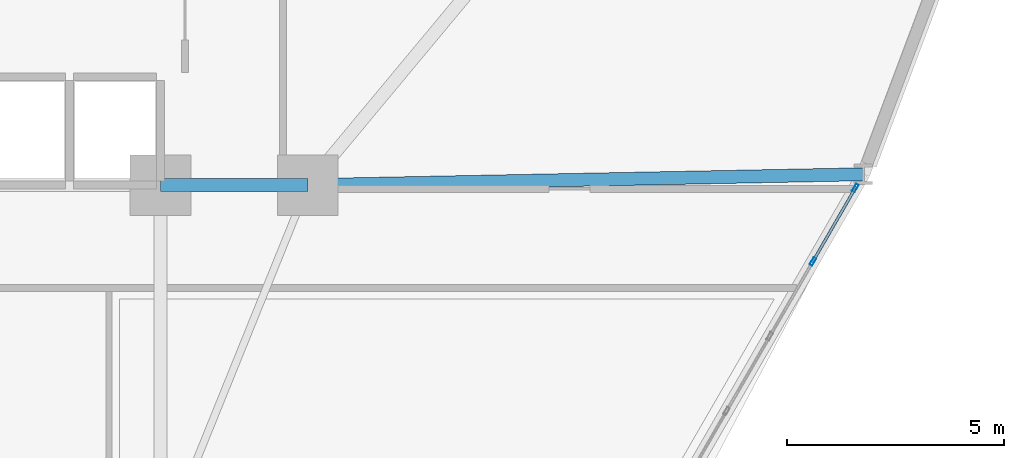
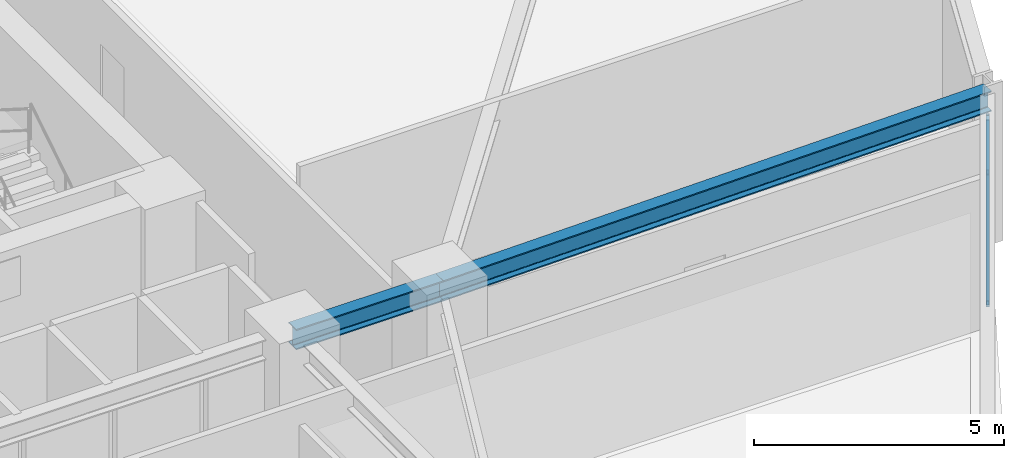
# One storey, part 8 of 20: 5 members, 2 beams, 1 element without a shape of its own.
"""IFC4 building model written with IfcOpenShell, lengths in metres."""

from ifc_helpers import new_model, si_unit, derived_unit, direction, frame, origin, origin_2d, place, context, subcontext, project, spatial, hollow_rectangle, i_section, extrude, source, transform, mapped, material, layer, layer_set, material_profile, profile_set, type_object, element, aggregate, save


model = new_model("IFC4")

# Units and contexts
model_context = context("Model", 3, precision=1e-05, world=origin(), true_north=direction((0.0, 1.0)))
body_context = subcontext(model_context, "Body", "Model", "MODEL_VIEW")
ifc_project = project(units=[si_unit("LENGTHUNIT", "METRE"), si_unit("AREAUNIT", "SQUARE_METRE"), si_unit("VOLUMEUNIT", "CUBIC_METRE"), si_unit("PLANEANGLEUNIT", "RADIAN"), si_unit("MASSUNIT", "GRAM", prefix="KILO"), derived_unit("THERMALTRANSMITTANCEUNIT", [(si_unit("POWERUNIT", "WATT"), 1), (si_unit("LENGTHUNIT", "METRE"), -2), (si_unit("THERMODYNAMICTEMPERATUREUNIT", "KELVIN"), -1)])], contexts=[model_context])

# Site, building, storey
site_placement = place(None, origin())
site = spatial("IfcSite", under=ifc_project, at=site_placement, CompositionType="ELEMENT")
building_placement = place(site_placement, origin())
building = spatial("IfcBuilding", under=site, at=building_placement, Name="Korsvarv Bourse and Concert Hall", CompositionType="ELEMENT")
storey_placement = place(building_placement, frame((0.0, 0.0, 91.199951171875)))
storey = spatial("IfcBuildingStorey", under=building, at=storey_placement, Name="L22", CompositionType="ELEMENT", Elevation=91.199951171875)

# Beams
ifc_material_1 = material(Name="Steel S355", Category="steel")
ifc_material_profile_1 = material_profile(ifc_material_1, i_section(OverallWidth=0.300048828125, OverallDepth=0.5, WebThickness=0.014404296875, FlangeThickness=0.028076171875, FilletRadius=0.02392578125, at=origin_2d()), Name="HEB 500")
ifc_profile_set_1 = profile_set([ifc_material_profile_1], Name="Steel S355")
beam_type = type_object("IfcBeamType", Name="BM-HEB500", PredefinedType="BEAM", material=ifc_profile_set_1)
shared_shape_1 = source(origin(), body_context, "Body", "SweptSolid", [
    extrude(i_section(OverallWidth=0.300048828125, OverallDepth=0.5, WebThickness=0.014404296875, FlangeThickness=0.028076171875, FilletRadius=0.02392578125, at=origin_2d()), origin(), (0.0, 0.0, 1.0), 3.400146484375),
])
beam_1_placement = place(storey_placement, frame((44.39990234375, 32.39990234375, 3.429931640625), z_axis=(1.0, 0.0, 0.0), x_axis=(0.0, 1.0, 0.0)))
element("IfcBeam", 1, at=beam_1_placement, inside=storey, type_object=beam_type, Name="L22 beam B-07", PredefinedType="BEAM", context=body_context, shape_type="MappedRepresentation", body=[
    mapped(shared_shape_1, transform((0.0, 0.0, 0.0), scale=1.0)),
])
shared_shape_2 = source(origin(), body_context, "Body", "SweptSolid", [
    extrude(i_section(OverallWidth=0.300048828125, OverallDepth=0.5, WebThickness=0.014404296875, FlangeThickness=0.028076171875, FilletRadius=0.02392578125, at=origin_2d()), origin(), (0.0, 0.0, 1.0), 12.8212890625),
])
beam_2_placement = place(storey_placement, frame((60.618896484375, 32.65087890625, 3.429931640625), z_axis=(-0.999808392048, -0.019574963376, 0.0), x_axis=(0.019574963376, -0.999808392048, 0.0)))
element("IfcBeam", 2, at=beam_2_placement, inside=storey, type_object=beam_type, Name="L22 beam B-07", PredefinedType="BEAM", context=body_context, shape_type="MappedRepresentation", body=[
    mapped(shared_shape_2, transform((0.0, 0.0, 0.0), scale=1.0)),
])

# Curtain wall, members
ifc_material_2 = material(Name="Anodised aluminium and triple low-E glazing", Category="glass")
ifc_layer = layer(ifc_material_2, 0.219970703125)
ifc_layer_set = layer_set([ifc_layer], Name="Anodised aluminium and triple low-E glazing")
curtain_wall_type = type_object("IfcCurtainWallType", Name="CW-SYS-1", PredefinedType="NOTDEFINED", material=ifc_layer_set)
curtain_wall_placement = place(storey_placement, origin())
curtain_wall = element("IfcCurtainWall", 3, at=curtain_wall_placement, inside=storey, type_object=curtain_wall_type, Name="L22 CW1 curtain wall CW-L22-F11", PredefinedType="NOTDEFINED")
ifc_material_3 = material(Name="Extruded aluminium EN AW-6063 T66", Category="aluminium")
ifc_material_profile_2 = material_profile(ifc_material_3, hollow_rectangle(XDim=0.070068359375, YDim=0.18994140625, WallThickness=0.0048828125, at=origin_2d()), Name="ALU-M 70x190")
ifc_profile_set_2 = profile_set([ifc_material_profile_2], Name="Extruded aluminium EN AW-6063 T66")
member_type_1 = type_object("IfcMemberType", Name="CWM-190", PredefinedType="MULLION", material=ifc_profile_set_2)
shared_shape_3 = source(origin(), body_context, "Body", "SweptSolid", [
    extrude(hollow_rectangle(XDim=0.070068359375, YDim=0.18994140625, WallThickness=0.0048828125, at=origin_2d()), origin(), (0.0, 0.0, 1.0), 3.22998046875),
])
member_1_placement = place(storey_placement, frame((59.456298828125, 30.637451171875, 0.0), z_axis=(0.0, 0.0, 1.0), x_axis=(-0.8660261613, 0.499998687942, 0.0)))
member_1 = element("IfcMember", 4, at=member_1_placement, type_object=member_type_1, Name="CW1 mullion 7", PredefinedType="MULLION", context=body_context, shape_type="MappedRepresentation", body=[
    mapped(shared_shape_3, transform((0.0, 0.0, 0.0), scale=1.0)),
])
member_2_placement = place(storey_placement, frame((60.435791015625, 32.33349609375, 0.0), z_axis=(0.0, 0.0, 1.0), x_axis=(-0.8660261613, 0.499998687942, 0.0)))
member_2 = element("IfcMember", 5, at=member_2_placement, type_object=member_type_1, Name="CW1 mullion 8", PredefinedType="MULLION", context=body_context, shape_type="MappedRepresentation", body=[
    mapped(shared_shape_3, transform((0.0, 0.0, 0.0), scale=1.0)),
])
ifc_material_profile_3 = material_profile(ifc_material_3, hollow_rectangle(XDim=0.06494140625, YDim=0.139892578125, WallThickness=0.00390625, at=origin_2d()), Name="ALU-T 65x140")
ifc_profile_set_3 = profile_set([ifc_material_profile_3], Name="Extruded aluminium EN AW-6063 T66")
member_type_2 = type_object("IfcMemberType", Name="CWT-140", PredefinedType="USERDEFINED", material=ifc_profile_set_3)
shared_shape_4 = source(origin(), body_context, "Body", "SweptSolid", [
    extrude(hollow_rectangle(XDim=0.06494140625, YDim=0.139892578125, WallThickness=0.00390625, at=origin_2d()), origin(), (0.0, 0.0, 1.0), 1.888671875),
])
member_3_placement = place(storey_placement, frame((59.473876953125, 30.667724609375, 0.032470703125), z_axis=(0.500032047992, 0.866006900077, 0.0), x_axis=(-0.866006900077, 0.500032047992, 0.0)))
member_3 = element("IfcMember", 6, at=member_3_placement, type_object=member_type_2, Name="CW1 transom 7.1", ObjectType="TRANSOM", PredefinedType="USERDEFINED", context=body_context, shape_type="MappedRepresentation", body=[
    mapped(shared_shape_4, transform((0.0, 0.0, 0.0), scale=1.0)),
])
member_4_placement = place(storey_placement, frame((59.473876953125, 30.667724609375, 3.197509765625), z_axis=(0.500032047992, 0.866006900077, 0.0), x_axis=(-0.866006900077, 0.500032047992, 0.0)))
member_4 = element("IfcMember", 7, at=member_4_placement, type_object=member_type_2, Name="CW1 transom 7.2", ObjectType="TRANSOM", PredefinedType="USERDEFINED", context=body_context, shape_type="MappedRepresentation", body=[
    mapped(shared_shape_4, transform((0.0, 0.0, 0.0), scale=1.0)),
])
ifc_material_profile_4 = material_profile(ifc_material_3, hollow_rectangle(XDim=0.06494140625, YDim=0.1650390625, WallThickness=0.0048828125, at=origin_2d()), Name="ALU-M 65x165")
ifc_profile_set_4 = profile_set([ifc_material_profile_4], Name="Extruded aluminium EN AW-6063 T66")
member_type_3 = type_object("IfcMemberType", Name="CWM-165", PredefinedType="MULLION", material=ifc_profile_set_4)
shared_shape_5 = source(origin(), body_context, "Body", "SweptSolid", [
    extrude(hollow_rectangle(XDim=0.06494140625, YDim=0.1650390625, WallThickness=0.0048828125, at=origin_2d()), origin(), (0.0, 0.0, 1.0), 3.630126953125),
])
member_5_placement = place(storey_placement, frame((59.473876953125, 30.667724609375, 0.06494140625), z_axis=(0.260144386636, 0.450544789575, 0.854010708767), x_axis=(-0.866006900077, 0.500032047992, 0.0)))
member_5 = element("IfcMember", 8, at=member_5_placement, type_object=member_type_3, Name="CW1 diagonal mullion 7", PredefinedType="MULLION", context=body_context, shape_type="MappedRepresentation", body=[
    mapped(shared_shape_5, transform((0.0, 0.0, 0.0), scale=1.0)),
])
aggregate(curtain_wall, [member_1, member_2, member_3, member_4, member_5])

save(model, "model.ifc")
